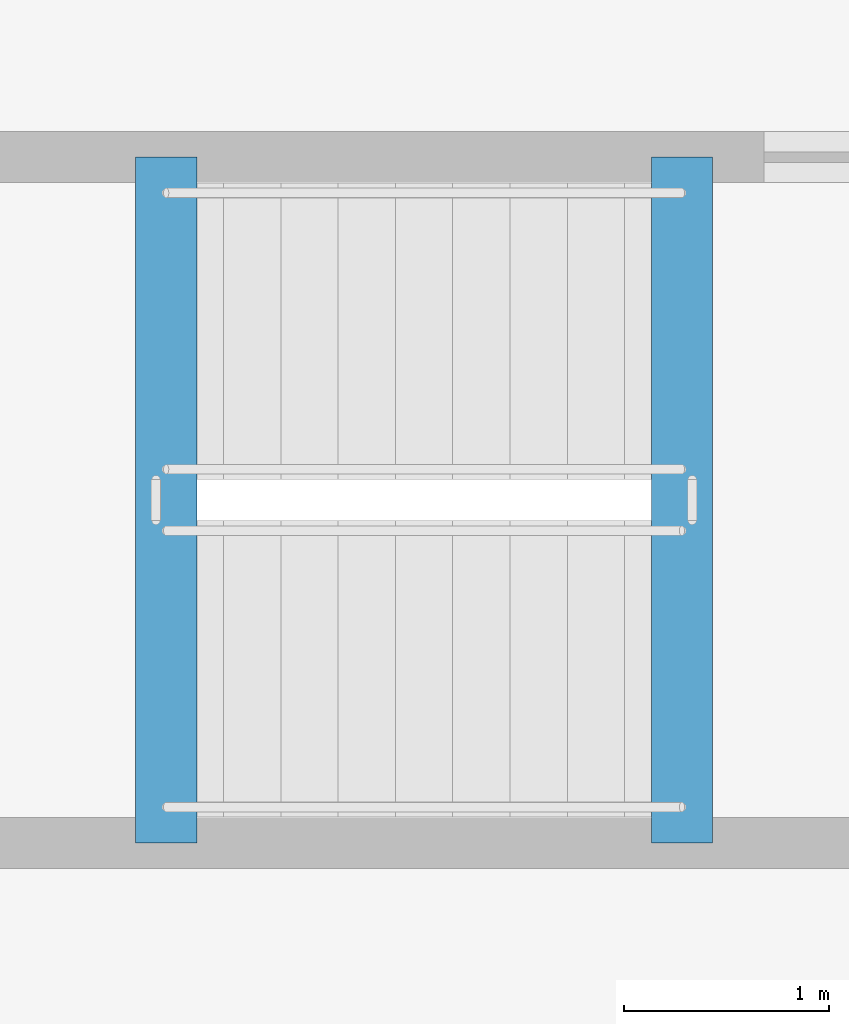
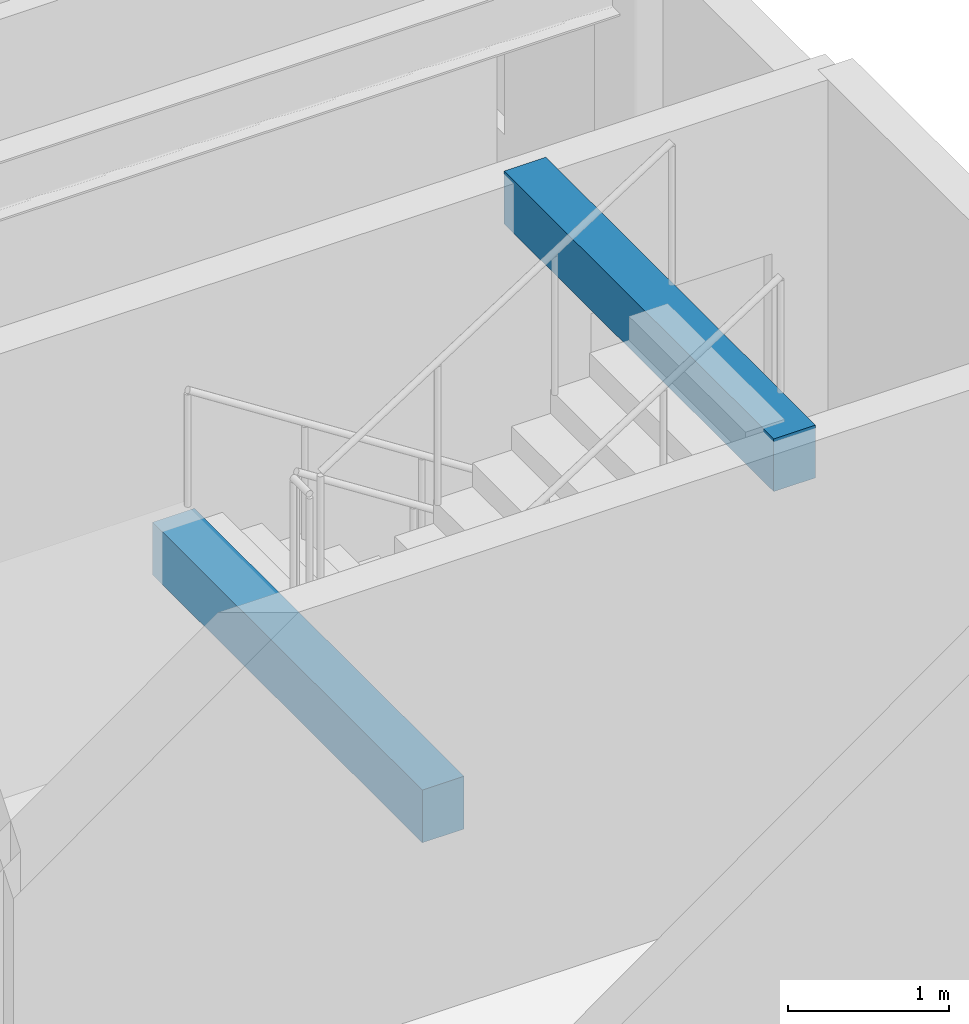
# One storey, part 7 of 33: 2 beams.
"""IFC4 building model written with IfcOpenShell, lengths in metres."""

from ifc_helpers import new_model, si_unit, direction, frame, origin, origin_2d, place, context, subcontext, project, spatial, rectangle, extrude, material, material_profile, profile_set, type_object, element, save


model = new_model("IFC4")

# Units and contexts
model_context = context("Model", 3, precision=1e-05, world=origin(), true_north=direction((0.0, 1.0)))
body_context = subcontext(model_context, "Body", "Model", "MODEL_VIEW")
ifc_project = project(units=[si_unit("LENGTHUNIT", "METRE"), si_unit("AREAUNIT", "SQUARE_METRE"), si_unit("VOLUMEUNIT", "CUBIC_METRE"), si_unit("PLANEANGLEUNIT", "RADIAN"), si_unit("MASSUNIT", "GRAM", prefix="KILO")], contexts=[model_context])

# Site, building, storey
site_placement = place(None, origin())
site = spatial("IfcSite", under=ifc_project, at=site_placement, CompositionType="ELEMENT")
building_placement = place(site_placement, origin())
building = spatial("IfcBuilding", under=site, at=building_placement, Name="Kazehara Bluff Congress Hotel", CompositionType="ELEMENT")
storey_placement = place(building_placement, frame((0.0, 0.0, 39.0)))
storey = spatial("IfcBuildingStorey", under=building, at=storey_placement, Name="L09", CompositionType="ELEMENT", Elevation=39.0)

# Beams
ifc_material = material(Name="Concrete C40/50", Category="concrete")
ifc_material_profile = material_profile(ifc_material, rectangle(XDim=0.300048828125, YDim=0.39990234375, at=origin_2d()))
ifc_profile_set = profile_set([ifc_material_profile], Name="Concrete C40/50")
beam_type = type_object("IfcBeamType", Name="TP-LN-02", PredefinedType="LINTEL", material=ifc_profile_set)
for number, where, z_axis, x_axis, name in (
    (1, (163.1298828125, 22.22509765625, 1.419921875), (0.0, -1.0, 0.0), (1.0, 0.0, 0.0), "L09 ST-10 half-landing support beam 1"),
    (2, (165.64990234375, 22.22509765625, 3.199951171875), (0.0, -1.0, 0.0), (1.0, 0.0, 0.0), "L10 ST-10 stairwell trimmer beam"),
):
    element("IfcBeam", number, at=place(storey_placement, frame(where, z_axis=z_axis, x_axis=x_axis)), inside=storey, type_object=beam_type, Name=name, PredefinedType="LINTEL", context=body_context, shape_type="SweptSolid", body=[
        extrude(rectangle(XDim=0.300048828125, YDim=0.39990234375, at=origin_2d()), origin(), (0.0, 0.0, 1.0), 3.35009765625),
    ])

save(model, "model.ifc")
